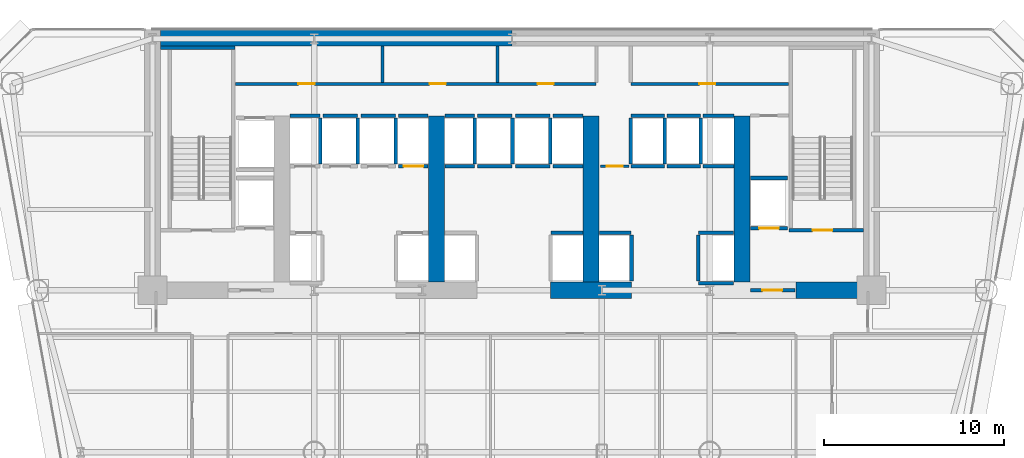
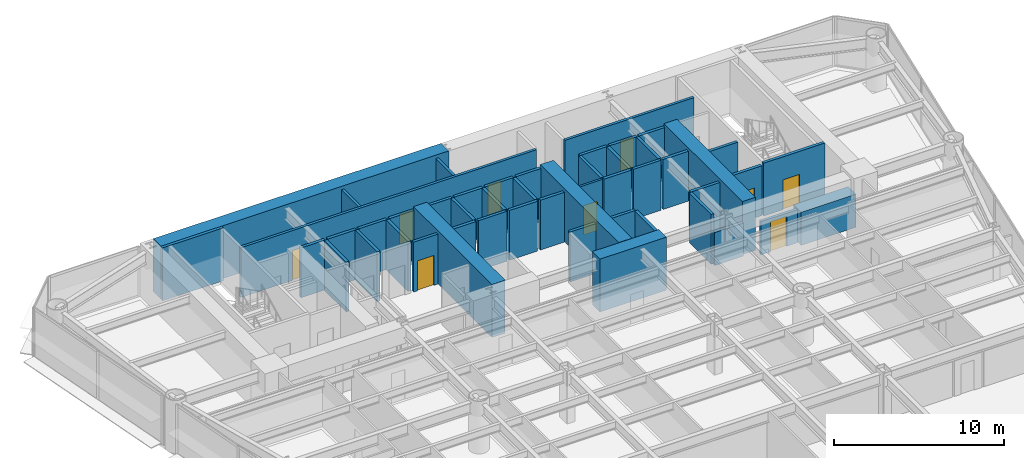
# One storey, part 9 of 14: 50 walls, 9 doors, 9 openings.
"""IFC4 building model written with IfcOpenShell, lengths in metres."""

from ifc_helpers import new_model, si_unit, direction, frame, frame_2d, origin, place, context, subcontext, project, spatial, rectangle, extrude, source, transform, mapped, material, layer, layer_set, type_object, element, fill, save


model = new_model("IFC4")

# Units and contexts
model_context = context("Model", 3, precision=1e-05, world=origin(), true_north=direction((0.0, 1.0)))
body_context = subcontext(model_context, "Body", "Model", "MODEL_VIEW")
ifc_project = project(units=[si_unit("LENGTHUNIT", "METRE"), si_unit("AREAUNIT", "SQUARE_METRE"), si_unit("VOLUMEUNIT", "CUBIC_METRE"), si_unit("PLANEANGLEUNIT", "RADIAN"), si_unit("MASSUNIT", "GRAM", prefix="KILO")], contexts=[model_context])

# Site, building, storey
site_placement = place(None, origin())
site = spatial("IfcSite", under=ifc_project, at=site_placement, CompositionType="ELEMENT")
building_placement = place(site_placement, origin())
building = spatial("IfcBuilding", under=site, at=building_placement, Name="Vaeldorn Concourse Tower", CompositionType="ELEMENT")
storey_placement = place(building_placement, frame((0.0, 0.0, 26.39990234375)))
storey = spatial("IfcBuildingStorey", under=building, at=storey_placement, Name="L06", CompositionType="ELEMENT", Elevation=26.39990234375)

# Walls
ifc_material_1 = material(Name="Concrete C60/75", Category="concrete")
ifc_layer_1 = layer(ifc_material_1, 0.89990234375)
ifc_layer_set_1 = layer_set([ifc_layer_1], Name="Concrete C60/75")
wall_type_1 = type_object("IfcWallType", Name="WL-CORE-900", PredefinedType="SHEAR", material=ifc_layer_set_1)
wall_1_placement = place(storey_placement, frame((14.4541015625, 50.550048828125, 0.0), z_axis=(0.0, 0.0, 1.0), x_axis=(1.0, 0.0, 0.0)))
element("IfcWall", 1, at=wall_1_placement, inside=storey, type_object=wall_type_1, Name="Rear Core Shear Wall L06 N1", PredefinedType="SHEAR", context=body_context, shape_type="SweptSolid", body=[
    extrude(rectangle(XDim=19.5439453125, YDim=0.89990234375, at=frame_2d((9.77197265625, 0.0))), origin(), (0.0, 0.0, 1.0), 3.800048828125),
])
wall_2_placement = place(storey_placement, frame((36.14990234375, 36.5, 0.0), z_axis=(0.0, 0.0, 1.0), x_axis=(1.0, 0.0, 0.0)))
element("IfcWall", 2, at=wall_2_placement, inside=storey, type_object=wall_type_1, Name="Rear Core Shear Wall L06 S3", PredefinedType="SHEAR", context=body_context, shape_type="SweptSolid", body=[
    extrude(rectangle(XDim=4.5, YDim=0.89990234375, at=frame_2d((2.25, 0.0))), origin(), (0.0, 0.0, 1.0), 3.800048828125),
])
wall_3_placement = place(storey_placement, frame((49.800048828125, 36.5, 0.0), z_axis=(0.0, 0.0, 1.0), x_axis=(1.0, 0.0, 0.0)))
element("IfcWall", 3, at=wall_3_placement, inside=storey, type_object=wall_type_1, Name="Rear Core Shear Wall L06 S4", PredefinedType="SHEAR", context=body_context, shape_type="SweptSolid", body=[
    extrude(rectangle(XDim=3.72998046875, YDim=0.89990234375, at=frame_2d((1.864990234375, 0.0))), origin(), (0.0, 0.0, 1.0), 2.380126953125),
])
for number, where, z_axis, x_axis, name in (
    (4, (29.800048828125, 36.969970703125, 0.0), (0.0, 0.0, 1.0), (0.0, 1.0, 0.0), "Rear Core Shear Wall L06 M2"),
    (5, (38.39990234375, 36.969970703125, 0.0), (0.0, 0.0, 1.0), (0.0, 1.0, 0.0), "Rear Core Shear Wall L06 M3"),
    (6, (46.800048828125, 36.969970703125, 0.0), (0.0, 0.0, 1.0), (0.0, 1.0, 0.0), "Rear Core Shear Wall L06 M4"),
):
    element("IfcWall", number, at=place(storey_placement, frame(where, z_axis=z_axis, x_axis=x_axis)), inside=storey, type_object=wall_type_1, Name=name, PredefinedType="SHEAR", context=body_context, shape_type="SweptSolid", body=[
        extrude(rectangle(XDim=9.22998046875, YDim=0.89990234375, at=frame_2d((4.614990234375, 0.0))), origin(), (0.0, 0.0, 1.0), 3.800048828125),
    ])

# Wall, opening, door
ifc_material_2 = material(Name="Gypsum Board Partition", Category="gypsum")
ifc_layer_2 = layer(ifc_material_2, 0.14990234375)
ifc_layer_set_2 = layer_set([ifc_layer_2], Name="Gypsum Board Partition")
wall_type_2 = type_object("IfcWallType", Name="WL-PART-150", PredefinedType="PARTITIONING", material=ifc_layer_set_2)
wall_4_placement = place(storey_placement, frame((38.919921875, 43.39990234375, 0.0), z_axis=(0.0, 0.0, 1.0), x_axis=(1.0, 0.0, 0.0)))
wall_4 = element("IfcWall", 7, at=wall_4_placement, inside=storey, type_object=wall_type_2, Name="Interior Wall CW-L06-CCLINK", PredefinedType="PARTITIONING", context=body_context, shape_type="SweptSolid", body=[
    extrude(rectangle(XDim=1.60009765625, YDim=0.14990234375, at=frame_2d((0.800048828125, 0.0))), origin(), (0.0, 0.0, 1.0), 3.580078125),
])
opening_1_placement = place(wall_4_placement, frame((0.35009765625, 0.0, 0.0)))
opening_1 = element("IfcOpeningElement", 8, at=opening_1_placement, cuts=wall_4, Name="Opening D-02", PredefinedType="OPENING", context=body_context, shape_type="SweptSolid", body=[
    extrude(rectangle(XDim=0.89990234375, YDim=2.10009765625, at=frame_2d((0.449951171875, 1.050048828125))), frame((0.0, 0.0849609375, 0.0), z_axis=(0.0, -1.0, 0.0), x_axis=(1.0, 0.0, 0.0)), (0.0, 0.0, 1.0), 0.169921875),
])
ifc_material_3 = material(Name="Fire-Rated Timber Leaf", Category="wood")
door_type_1 = type_object("IfcDoorType", Name="DR-FD30-900", OperationType="NOTDEFINED", PredefinedType="DOOR", material=ifc_material_3)
shared_shape_1 = source(origin(), body_context, "Body", "SweptSolid", [
    extrude(rectangle(XDim=0.89990234375, YDim=2.10009765625, at=frame_2d((0.449951171875, 1.050048828125))), frame((0.0, 0.02490234375, 0.0), z_axis=(0.0, -1.0, 0.0), x_axis=(1.0, 0.0, 0.0)), (0.0, 0.0, 1.0), 0.050048828125),
])
door_1_placement = place(opening_1_placement, origin())
door_1 = element("IfcDoor", 9, at=door_1_placement, inside=storey, type_object=door_type_1, Name="Interior Door DR-L06-CCLINK", OperationType="SINGLE_SWING_LEFT", OverallHeight=2.10009765625, OverallWidth=0.89990234375, PredefinedType="DOOR", context=body_context, shape_type="MappedRepresentation", body=[
    mapped(shared_shape_1, transform((0.0, 0.0, 0.0), scale=1.0)),
])
fill(opening_1, door_1)

# Wall, openings, doors
ifc_layer_3 = layer(ifc_material_2, 0.179931640625)
ifc_layer_set_3 = layer_set([ifc_layer_3], Name="Gypsum Board Partition")
wall_type_3 = type_object("IfcWallType", Name="WL-PLUMB-180", PredefinedType="PLUMBINGWALL", material=ifc_layer_set_3)
wall_5_placement = place(storey_placement, frame((18.6201171875, 47.97998046875, 0.0), z_axis=(0.0, 0.0, 1.0), x_axis=(1.0, 0.0, 0.0)))
wall_5 = element("IfcWall", 10, at=wall_5_placement, inside=storey, type_object=wall_type_3, Name="Interior Wall CW-L06-NS1W", PredefinedType="PLUMBINGWALL", context=body_context, shape_type="SweptSolid", body=[
    extrude(rectangle(XDim=20.059814453125, YDim=0.179931640625, at=frame_2d((10.02978515625, 0.0))), origin(), (0.0, 0.0, 1.0), 3.580078125),
])
opening_2_placement = place(wall_5_placement, frame((3.5, 0.0, 0.0)))
opening_2 = element("IfcOpeningElement", 11, at=opening_2_placement, cuts=wall_5, Name="Opening D-03", PredefinedType="OPENING", context=body_context, shape_type="SweptSolid", body=[
    extrude(rectangle(XDim=0.89990234375, YDim=2.14990234375, at=frame_2d((0.449951171875, 1.074951171875))), frame((0.0, 0.10009765625, 0.0), z_axis=(0.0, -1.0, 0.0), x_axis=(1.0, 0.0, 0.0)), (0.0, 0.0, 1.0), 0.199951171875),
])
opening_3_placement = place(wall_5_placement, frame((10.800048828125, 0.0, 0.0)))
opening_3 = element("IfcOpeningElement", 12, at=opening_3_placement, cuts=wall_5, Name="Opening D-03", PredefinedType="OPENING", context=body_context, shape_type="SweptSolid", body=[
    extrude(rectangle(XDim=0.89990234375, YDim=2.14990234375, at=frame_2d((0.449951171875, 1.074951171875))), frame((0.0, 0.10009765625, 0.0), z_axis=(0.0, -1.0, 0.0), x_axis=(1.0, 0.0, 0.0)), (0.0, 0.0, 1.0), 0.199951171875),
])
opening_4_placement = place(wall_5_placement, frame((16.800048828125, 0.0, 0.0)))
opening_4 = element("IfcOpeningElement", 13, at=opening_4_placement, cuts=wall_5, Name="Opening D-03", PredefinedType="OPENING", context=body_context, shape_type="SweptSolid", body=[
    extrude(rectangle(XDim=0.89990234375, YDim=2.14990234375, at=frame_2d((0.449951171875, 1.074951171875))), frame((0.0, 0.10009765625, 0.0), z_axis=(0.0, -1.0, 0.0), x_axis=(1.0, 0.0, 0.0)), (0.0, 0.0, 1.0), 0.199951171875),
])
ifc_material_4 = material(Name="Acoustic Bronze-Framed Glass Door", Category="glass")
door_type_2 = type_object("IfcDoorType", Name="DR-INT-900", OperationType="NOTDEFINED", PredefinedType="DOOR", material=ifc_material_4)
shared_shape_2 = source(origin(), body_context, "Body", "SweptSolid", [
    extrude(rectangle(XDim=0.89990234375, YDim=2.14990234375, at=frame_2d((0.449951171875, 1.074951171875))), frame((0.0, 0.02490234375, 0.0), z_axis=(0.0, -1.0, 0.0), x_axis=(1.0, 0.0, 0.0)), (0.0, 0.0, 1.0), 0.050048828125),
])
door_2_placement = place(opening_2_placement, origin())
door_2 = element("IfcDoor", 14, at=door_2_placement, inside=storey, type_object=door_type_2, Name="Interior Door DR-L06-CS1", OperationType="SINGLE_SWING_LEFT", OverallHeight=2.14990234375, OverallWidth=0.89990234375, PredefinedType="DOOR", context=body_context, shape_type="MappedRepresentation", body=[
    mapped(shared_shape_2, transform((0.0, 0.0, 0.0), scale=1.0)),
])
fill(opening_2, door_2)
door_3_placement = place(opening_3_placement, origin())
door_3 = element("IfcDoor", 15, at=door_3_placement, inside=storey, type_object=door_type_2, Name="Interior Door DR-L06-CS2", OperationType="SINGLE_SWING_RIGHT", OverallHeight=2.14990234375, OverallWidth=0.89990234375, PredefinedType="DOOR", context=body_context, shape_type="MappedRepresentation", body=[
    mapped(shared_shape_2, transform((0.0, 0.0, 0.0), scale=1.0)),
])
fill(opening_3, door_3)
door_4_placement = place(opening_4_placement, origin())
door_4 = element("IfcDoor", 16, at=door_4_placement, inside=storey, type_object=door_type_2, Name="Interior Door DR-L06-CS3", OperationType="SINGLE_SWING_LEFT", OverallHeight=2.14990234375, OverallWidth=0.89990234375, PredefinedType="DOOR", context=body_context, shape_type="MappedRepresentation", body=[
    mapped(shared_shape_2, transform((0.0, 0.0, 0.0), scale=1.0)),
])
fill(opening_4, door_4)

# Wall, opening, door
wall_6_placement = place(storey_placement, frame((40.6201171875, 47.97998046875, 0.0), z_axis=(0.0, 0.0, 1.0), x_axis=(1.0, 0.0, 0.0)))
wall_6 = element("IfcWall", 17, at=wall_6_placement, inside=storey, type_object=wall_type_3, Name="Interior Wall CW-L06-NS1E", PredefinedType="PLUMBINGWALL", context=body_context, shape_type="SweptSolid", body=[
    extrude(rectangle(XDim=8.759765625, YDim=0.179931640625, at=frame_2d((4.3798828125, 0.0))), origin(), (0.0, 0.0, 1.0), 3.580078125),
])
opening_5_placement = place(wall_6_placement, frame((3.800048828125, 0.0, 0.0)))
opening_5 = element("IfcOpeningElement", 18, at=opening_5_placement, cuts=wall_6, Name="Opening D-03", PredefinedType="OPENING", context=body_context, shape_type="SweptSolid", body=[
    extrude(rectangle(XDim=0.89990234375, YDim=2.14990234375, at=frame_2d((0.449951171875, 1.074951171875))), frame((0.0, 0.10009765625, 0.0), z_axis=(0.0, -1.0, 0.0), x_axis=(1.0, 0.0, 0.0)), (0.0, 0.0, 1.0), 0.199951171875),
])
door_5_placement = place(opening_5_placement, origin())
door_5 = element("IfcDoor", 19, at=door_5_placement, inside=storey, type_object=door_type_2, Name="Interior Door DR-L06-CS4", OperationType="SINGLE_SWING_RIGHT", OverallHeight=2.14990234375, OverallWidth=0.89990234375, PredefinedType="DOOR", context=body_context, shape_type="MappedRepresentation", body=[
    mapped(shared_shape_2, transform((0.0, 0.0, 0.0), scale=1.0)),
])
fill(opening_5, door_5)

# Walls
for number, where, z_axis, x_axis, name in (
    (20, (26.800048828125, 48.06005859375, 0.0), (0.0, 0.0, 1.0), (0.0, 1.0, 0.0), "Interior Wall CW-L06-NDIV1"),
    (21, (33.199951171875, 48.06005859375, 0.0), (0.0, 0.0, 1.0), (0.0, 1.0, 0.0), "Interior Wall CW-L06-NDIV2"),
):
    element("IfcWall", number, at=place(storey_placement, frame(where, z_axis=z_axis, x_axis=x_axis)), inside=storey, type_object=wall_type_3, Name=name, PredefinedType="PLUMBINGWALL", context=body_context, shape_type="SweptSolid", body=[
        extrude(rectangle(XDim=2.02001953125, YDim=0.179931640625, at=frame_2d((1.010009765625, 0.0))), origin(), (0.0, 0.0, 1.0), 3.580078125),
    ])
ifc_material_5 = material(Name="Concrete C50/60", Category="concrete")
ifc_layer_4 = layer(ifc_material_5, 0.199951171875)
ifc_layer_set_4 = layer_set([ifc_layer_4], Name="Concrete C50/60")
wall_type_4 = type_object("IfcWallType", Name="WL-SHAFT-200", PredefinedType="SOLIDWALL", material=ifc_layer_set_4)
wall_7_placement = place(storey_placement, frame((14.449951171875, 50.0, 0.0), z_axis=(0.0, 0.0, 1.0), x_axis=(1.0, 0.0, 0.0)))
element("IfcWall", 22, at=wall_7_placement, inside=storey, type_object=wall_type_4, Name="Stair Shaft Wall CW-L06-ST-1-N", PredefinedType="SOLIDWALL", context=body_context, shape_type="SweptSolid", body=[
    extrude(rectangle(XDim=4.150146484375, YDim=0.199951171875, at=frame_2d((2.0751953125, 0.0))), origin(), (0.0, 0.0, 1.0), 3.800048828125),
])

# Wall, opening, door
wall_8_placement = place(storey_placement, frame((49.39990234375, 39.85009765625, 0.0), z_axis=(0.0, 0.0, 1.0), x_axis=(1.0, 0.0, 0.0)))
wall_8 = element("IfcWall", 23, at=wall_8_placement, inside=storey, type_object=wall_type_4, Name="Stair Shaft Wall CW-L06-ST-2-S", PredefinedType="SOLIDWALL", context=body_context, shape_type="SweptSolid", body=[
    extrude(rectangle(XDim=4.150146484375, YDim=0.199951171875, at=frame_2d((2.0751953125, 0.0))), origin(), (0.0, 0.0, 1.0), 3.800048828125),
])
opening_6_placement = place(wall_8_placement, frame((1.324951171875, 0.0, 0.0)))
opening_6 = element("IfcOpeningElement", 24, at=opening_6_placement, cuts=wall_8, Name="Opening D-01", PredefinedType="OPENING", context=body_context, shape_type="SweptSolid", body=[
    extrude(rectangle(XDim=1.10009765625, YDim=2.14990234375, at=frame_2d((0.550048828125, 1.074951171875))), frame((0.0, 0.10986328125, 0.0), z_axis=(0.0, -1.0, 0.0), x_axis=(1.0, 0.0, 0.0)), (0.0, 0.0, 1.0), 0.219970703125),
])
ifc_material_6 = material(Name="Fire-Rated Timber and Steel Leaf", Category="steel")
door_type_3 = type_object("IfcDoorType", Name="DR-FD60-1100", OperationType="NOTDEFINED", PredefinedType="DOOR", material=ifc_material_6)
shared_shape_3 = source(origin(), body_context, "Body", "SweptSolid", [
    extrude(rectangle(XDim=1.10009765625, YDim=2.14990234375, at=frame_2d((0.550048828125, 1.074951171875))), frame((0.0, 0.02490234375, 0.0), z_axis=(0.0, -1.0, 0.0), x_axis=(1.0, 0.0, 0.0)), (0.0, 0.0, 1.0), 0.050048828125),
])
door_6_placement = place(opening_6_placement, origin())
door_6 = element("IfcDoor", 25, at=door_6_placement, inside=storey, type_object=door_type_3, Name="Interior Door DR-L06-ST-2", OperationType="SINGLE_SWING_RIGHT", OverallHeight=2.14990234375, OverallWidth=1.10009765625, PredefinedType="DOOR", context=body_context, shape_type="MappedRepresentation", body=[
    mapped(shared_shape_3, transform((0.0, 0.0, 0.0), scale=1.0)),
])
fill(opening_6, door_6)

wall_9_placement = place(storey_placement, frame((47.280029296875, 36.5, 0.0), z_axis=(0.0, 0.0, 1.0), x_axis=(1.0, 0.0, 0.0)))
wall_9 = element("IfcWall", 26, at=wall_9_placement, inside=storey, type_object=wall_type_4, Name="Interior Wall CW-L06-FF2S", PredefinedType="SOLIDWALL", context=body_context, shape_type="SweptSolid", body=[
    extrude(rectangle(XDim=2.469970703125, YDim=0.199951171875, at=frame_2d((1.23486328125, 0.0))), origin(), (0.0, 0.0, 1.0), 2.3701171875),
])
opening_7_placement = place(wall_9_placement, frame((0.64990234375, 0.0, 0.0)))
opening_7 = element("IfcOpeningElement", 27, at=opening_7_placement, cuts=wall_9, Name="Opening D-01", PredefinedType="OPENING", context=body_context, shape_type="SweptSolid", body=[
    extrude(rectangle(XDim=1.10009765625, YDim=2.14990234375, at=frame_2d((0.550048828125, 1.074951171875))), frame((0.0, 0.10986328125, 0.0), z_axis=(0.0, -1.0, 0.0), x_axis=(1.0, 0.0, 0.0)), (0.0, 0.0, 1.0), 0.219970703125),
])
door_7_placement = place(opening_7_placement, origin())
door_7 = element("IfcDoor", 28, at=door_7_placement, inside=storey, type_object=door_type_3, Name="Interior Door DR-L06-FF2W", OperationType="SINGLE_SWING_LEFT", OverallHeight=2.14990234375, OverallWidth=1.10009765625, PredefinedType="DOOR", context=body_context, shape_type="MappedRepresentation", body=[
    mapped(shared_shape_3, transform((0.0, 0.0, 0.0), scale=1.0)),
])
fill(opening_7, door_7)

# Walls
wall_10_placement = place(storey_placement, frame((21.659912109375, 46.199951171875, 0.0), z_axis=(0.0, 0.0, 1.0), x_axis=(1.0, 0.0, 0.0)))
element("IfcWall", 29, at=wall_10_placement, inside=storey, type_object=wall_type_4, Name="Interior Wall CW-L06-LFB-LF-03", PredefinedType="SOLIDWALL", context=body_context, shape_type="SweptSolid", body=[
    extrude(rectangle(XDim=1.650146484375, YDim=0.199951171875, at=frame_2d((0.8251953125, 0.0))), origin(), (0.0, 0.0, 1.0), 3.580078125),
])
wall_11_placement = place(storey_placement, frame((23.330078125, 43.52001953125, 0.0), z_axis=(0.0, 0.0, 1.0), x_axis=(0.0, 1.0, 0.0)))
element("IfcWall", 30, at=wall_11_placement, inside=storey, type_object=wall_type_4, Name="Interior Wall CW-L06-LFE-LF-03", PredefinedType="SOLIDWALL", context=body_context, shape_type="SweptSolid", body=[
    extrude(rectangle(XDim=2.56005859375, YDim=0.199951171875, at=frame_2d((1.280029296875, 0.0))), origin(), (0.0, 0.0, 1.0), 3.580078125),
])
wall_12_placement = place(storey_placement, frame((23.489990234375, 46.199951171875, 0.0), z_axis=(0.0, 0.0, 1.0), x_axis=(1.0, 0.0, 0.0)))
element("IfcWall", 31, at=wall_12_placement, inside=storey, type_object=wall_type_4, Name="Interior Wall CW-L06-LFB-LF-04", PredefinedType="SOLIDWALL", context=body_context, shape_type="SweptSolid", body=[
    extrude(rectangle(XDim=1.919921875, YDim=0.199951171875, at=frame_2d((0.9599609375, 0.0))), origin(), (0.0, 0.0, 1.0), 3.580078125),
])
wall_13_placement = place(storey_placement, frame((25.429931640625, 43.52001953125, 0.0), z_axis=(0.0, 0.0, 1.0), x_axis=(0.0, 1.0, 0.0)))
element("IfcWall", 32, at=wall_13_placement, inside=storey, type_object=wall_type_4, Name="Interior Wall CW-L06-LFE-LF-04", PredefinedType="SOLIDWALL", context=body_context, shape_type="SweptSolid", body=[
    extrude(rectangle(XDim=2.56005859375, YDim=0.199951171875, at=frame_2d((1.280029296875, 0.0))), origin(), (0.0, 0.0, 1.0), 3.580078125),
])
wall_14_placement = place(storey_placement, frame((25.590087890625, 46.199951171875, 0.0), z_axis=(0.0, 0.0, 1.0), x_axis=(1.0, 0.0, 0.0)))
element("IfcWall", 33, at=wall_14_placement, inside=storey, type_object=wall_type_4, Name="Interior Wall CW-L06-LFB-LF-05", PredefinedType="SOLIDWALL", context=body_context, shape_type="SweptSolid", body=[
    extrude(rectangle(XDim=1.919921875, YDim=0.199951171875, at=frame_2d((0.9599609375, 0.0))), origin(), (0.0, 0.0, 1.0), 3.580078125),
])
wall_15_placement = place(storey_placement, frame((27.530029296875, 43.52001953125, 0.0), z_axis=(0.0, 0.0, 1.0), x_axis=(0.0, 1.0, 0.0)))
element("IfcWall", 34, at=wall_15_placement, inside=storey, type_object=wall_type_4, Name="Interior Wall CW-L06-LFE-LF-05", PredefinedType="SOLIDWALL", context=body_context, shape_type="SweptSolid", body=[
    extrude(rectangle(XDim=2.56005859375, YDim=0.199951171875, at=frame_2d((1.280029296875, 0.0))), origin(), (0.0, 0.0, 1.0), 3.580078125),
])

# Wall, opening, door
wall_16_placement = place(storey_placement, frame((27.68994140625, 43.39990234375, 0.0), z_axis=(0.0, 0.0, 1.0), x_axis=(1.0, 0.0, 0.0)))
wall_16 = element("IfcWall", 35, at=wall_16_placement, inside=storey, type_object=wall_type_4, Name="Interior Wall CW-L06-LF-LF-06", PredefinedType="SOLIDWALL", context=body_context, shape_type="SweptSolid", body=[
    extrude(rectangle(XDim=1.650146484375, YDim=0.199951171875, at=frame_2d((0.8251953125, 0.0))), origin(), (0.0, 0.0, 1.0), 3.580078125),
])
opening_8_placement = place(wall_16_placement, frame((0.27490234375, 0.0, 0.0)))
opening_8 = element("IfcOpeningElement", 36, at=opening_8_placement, cuts=wall_16, Name="Opening LD-1", PredefinedType="OPENING", context=body_context, shape_type="SweptSolid", body=[
    extrude(rectangle(XDim=1.10009765625, YDim=2.14990234375, at=frame_2d((0.550048828125, 1.074951171875))), frame((0.0, 0.10986328125, 0.0), z_axis=(0.0, -1.0, 0.0), x_axis=(1.0, 0.0, 0.0)), (0.0, 0.0, 1.0), 0.219970703125),
])
ifc_material_7 = material(Name="Anodised Bronze Aluminium", Category="aluminium")
door_type_4 = type_object("IfcDoorType", Name="DR-LIFT-SLIDE-1100", OperationType="DOUBLE_DOOR_SLIDING", PredefinedType="DOOR", material=ifc_material_7)
door_8_placement = place(opening_8_placement, origin())
door_8 = element("IfcDoor", 37, at=door_8_placement, inside=storey, type_object=door_type_4, Name="Lift Landing Door LD-L06-LF-06", OperationType="DOUBLE_DOOR_SLIDING", OverallHeight=2.14990234375, OverallWidth=1.10009765625, PredefinedType="DOOR", context=body_context, shape_type="MappedRepresentation", body=[
    mapped(shared_shape_3, transform((0.0, 0.0, 0.0), scale=1.0)),
])
fill(opening_8, door_8)

# Walls
wall_17_placement = place(storey_placement, frame((27.68994140625, 46.199951171875, 0.0), z_axis=(0.0, 0.0, 1.0), x_axis=(1.0, 0.0, 0.0)))
element("IfcWall", 38, at=wall_17_placement, inside=storey, type_object=wall_type_4, Name="Interior Wall CW-L06-LFB-LF-06", PredefinedType="SOLIDWALL", context=body_context, shape_type="SweptSolid", body=[
    extrude(rectangle(XDim=1.650146484375, YDim=0.199951171875, at=frame_2d((0.8251953125, 0.0))), origin(), (0.0, 0.0, 1.0), 3.580078125),
])
wall_18_placement = place(storey_placement, frame((36.169921875, 39.699951171875, 0.0), z_axis=(0.0, 0.0, 1.0), x_axis=(1.0, 0.0, 0.0)))
element("IfcWall", 39, at=wall_18_placement, inside=storey, type_object=wall_type_4, Name="Interior Wall CW-L06-LF-LF-08", PredefinedType="SOLIDWALL", context=body_context, shape_type="SweptSolid", body=[
    extrude(rectangle(XDim=1.77001953125, YDim=0.199951171875, at=frame_2d((0.885009765625, 0.0))), origin(), (0.0, 0.0, 1.0), 3.580078125),
])
for number, where, z_axis, x_axis, name in (
    (40, (30.260009765625, 43.39990234375, 0.0), (0.0, 0.0, 1.0), (1.0, 0.0, 0.0), "Interior Wall CW-L06-LF-LF-09"),
    (41, (30.260009765625, 46.199951171875, 0.0), (0.0, 0.0, 1.0), (1.0, 0.0, 0.0), "Interior Wall CW-L06-LFB-LF-09"),
):
    element("IfcWall", number, at=place(storey_placement, frame(where, z_axis=z_axis, x_axis=x_axis)), inside=storey, type_object=wall_type_4, Name=name, PredefinedType="SOLIDWALL", context=body_context, shape_type="SweptSolid", body=[
        extrude(rectangle(XDim=1.64990234375, YDim=0.199951171875, at=frame_2d((0.824951171875, 0.0))), origin(), (0.0, 0.0, 1.0), 3.580078125),
    ])
wall_19_placement = place(storey_placement, frame((31.929931640625, 43.52001953125, 0.0), z_axis=(0.0, 0.0, 1.0), x_axis=(0.0, 1.0, 0.0)))
element("IfcWall", 42, at=wall_19_placement, inside=storey, type_object=wall_type_4, Name="Interior Wall CW-L06-LFE-LF-09", PredefinedType="SOLIDWALL", context=body_context, shape_type="SweptSolid", body=[
    extrude(rectangle(XDim=2.56005859375, YDim=0.199951171875, at=frame_2d((1.280029296875, 0.0))), origin(), (0.0, 0.0, 1.0), 3.580078125),
])
for number, where, z_axis, x_axis, name in (
    (43, (32.090087890625, 43.39990234375, 0.0), (0.0, 0.0, 1.0), (1.0, 0.0, 0.0), "Interior Wall CW-L06-LF-LF-10"),
    (44, (32.090087890625, 46.199951171875, 0.0), (0.0, 0.0, 1.0), (1.0, 0.0, 0.0), "Interior Wall CW-L06-LFB-LF-10"),
):
    element("IfcWall", number, at=place(storey_placement, frame(where, z_axis=z_axis, x_axis=x_axis)), inside=storey, type_object=wall_type_4, Name=name, PredefinedType="SOLIDWALL", context=body_context, shape_type="SweptSolid", body=[
        extrude(rectangle(XDim=1.919921875, YDim=0.199951171875, at=frame_2d((0.9599609375, 0.0))), origin(), (0.0, 0.0, 1.0), 3.580078125),
    ])
wall_20_placement = place(storey_placement, frame((34.030029296875, 43.52001953125, 0.0), z_axis=(0.0, 0.0, 1.0), x_axis=(0.0, 1.0, 0.0)))
element("IfcWall", 45, at=wall_20_placement, inside=storey, type_object=wall_type_4, Name="Interior Wall CW-L06-LFE-LF-10", PredefinedType="SOLIDWALL", context=body_context, shape_type="SweptSolid", body=[
    extrude(rectangle(XDim=2.56005859375, YDim=0.199951171875, at=frame_2d((1.280029296875, 0.0))), origin(), (0.0, 0.0, 1.0), 3.580078125),
])
for number, where, z_axis, x_axis, name in (
    (46, (34.18994140625, 43.39990234375, 0.0), (0.0, 0.0, 1.0), (1.0, 0.0, 0.0), "Interior Wall CW-L06-LF-LF-11"),
    (47, (34.18994140625, 46.199951171875, 0.0), (0.0, 0.0, 1.0), (1.0, 0.0, 0.0), "Interior Wall CW-L06-LFB-LF-11"),
):
    element("IfcWall", number, at=place(storey_placement, frame(where, z_axis=z_axis, x_axis=x_axis)), inside=storey, type_object=wall_type_4, Name=name, PredefinedType="SOLIDWALL", context=body_context, shape_type="SweptSolid", body=[
        extrude(rectangle(XDim=1.920166015625, YDim=0.199951171875, at=frame_2d((0.9599609375, 0.0))), origin(), (0.0, 0.0, 1.0), 3.580078125),
    ])
wall_21_placement = place(storey_placement, frame((36.1298828125, 43.52001953125, 0.0), z_axis=(0.0, 0.0, 1.0), x_axis=(0.0, 1.0, 0.0)))
element("IfcWall", 48, at=wall_21_placement, inside=storey, type_object=wall_type_4, Name="Interior Wall CW-L06-LFE-LF-11", PredefinedType="SOLIDWALL", context=body_context, shape_type="SweptSolid", body=[
    extrude(rectangle(XDim=2.56005859375, YDim=0.199951171875, at=frame_2d((1.280029296875, 0.0))), origin(), (0.0, 0.0, 1.0), 3.580078125),
])
for number, where, z_axis, x_axis, name in (
    (49, (36.2900390625, 43.39990234375, 0.0), (0.0, 0.0, 1.0), (1.0, 0.0, 0.0), "Interior Wall CW-L06-LF-LF-12"),
    (50, (36.2900390625, 46.199951171875, 0.0), (0.0, 0.0, 1.0), (1.0, 0.0, 0.0), "Interior Wall CW-L06-LFB-LF-12"),
):
    element("IfcWall", number, at=place(storey_placement, frame(where, z_axis=z_axis, x_axis=x_axis)), inside=storey, type_object=wall_type_4, Name=name, PredefinedType="SOLIDWALL", context=body_context, shape_type="SweptSolid", body=[
        extrude(rectangle(XDim=1.64990234375, YDim=0.199951171875, at=frame_2d((0.824951171875, 0.0))), origin(), (0.0, 0.0, 1.0), 3.580078125),
    ])
wall_22_placement = place(storey_placement, frame((38.860107421875, 39.699951171875, 0.0), z_axis=(0.0, 0.0, 1.0), x_axis=(1.0, 0.0, 0.0)))
element("IfcWall", 51, at=wall_22_placement, inside=storey, type_object=wall_type_4, Name="Interior Wall CW-L06-LF-LF-13", PredefinedType="SOLIDWALL", context=body_context, shape_type="SweptSolid", body=[
    extrude(rectangle(XDim=1.769775390625, YDim=0.199951171875, at=frame_2d((0.884765625, 0.0))), origin(), (0.0, 0.0, 1.0), 3.580078125),
])
wall_23_placement = place(storey_placement, frame((40.64990234375, 37.02001953125, 0.0), z_axis=(0.0, 0.0, 1.0), x_axis=(0.0, 1.0, 0.0)))
element("IfcWall", 52, at=wall_23_placement, inside=storey, type_object=wall_type_4, Name="Interior Wall CW-L06-LFE-LF-13", PredefinedType="SOLIDWALL", context=body_context, shape_type="SweptSolid", body=[
    extrude(rectangle(XDim=2.56005859375, YDim=0.199951171875, at=frame_2d((1.280029296875, 0.0))), origin(), (0.0, 0.0, 1.0), 3.580078125),
])
wall_24_placement = place(storey_placement, frame((44.3701171875, 39.699951171875, 0.0), z_axis=(0.0, 0.0, 1.0), x_axis=(1.0, 0.0, 0.0)))
element("IfcWall", 53, at=wall_24_placement, inside=storey, type_object=wall_type_4, Name="Interior Wall CW-L06-LF-LF-14", PredefinedType="SOLIDWALL", context=body_context, shape_type="SweptSolid", body=[
    extrude(rectangle(XDim=1.9599609375, YDim=0.199951171875, at=frame_2d((0.97998046875, 0.0))), origin(), (0.0, 0.0, 1.0), 3.580078125),
])
wall_25_placement = place(storey_placement, frame((44.3701171875, 36.89990234375, 0.0), z_axis=(0.0, 0.0, 1.0), x_axis=(1.0, 0.0, 0.0)))
element("IfcWall", 54, at=wall_25_placement, inside=storey, type_object=wall_type_4, Name="Interior Wall CW-L06-LFB-LF-14", PredefinedType="SOLIDWALL", context=body_context, shape_type="SweptSolid", body=[
    extrude(rectangle(XDim=1.9599609375, YDim=0.199951171875, at=frame_2d((0.97998046875, 0.0))), origin(), (0.0, 0.0, 1.0), 2.3701171875),
])
wall_26_placement = place(storey_placement, frame((44.35009765625, 37.02001953125, 0.0), z_axis=(0.0, 0.0, 1.0), x_axis=(0.0, 1.0, 0.0)))
element("IfcWall", 55, at=wall_26_placement, inside=storey, type_object=wall_type_4, Name="Interior Wall CW-L06-LFW-LF-14", PredefinedType="SOLIDWALL", context=body_context, shape_type="SweptSolid", body=[
    extrude(rectangle(XDim=2.56005859375, YDim=0.199951171875, at=frame_2d((1.280029296875, 0.0))), origin(), (0.0, 0.0, 1.0), 3.580078125),
])
for number, where, z_axis, x_axis, name in (
    (56, (40.6201171875, 43.39990234375, 0.0), (0.0, 0.0, 1.0), (1.0, 0.0, 0.0), "Interior Wall CW-L06-LF-LF-15"),
    (57, (40.6201171875, 46.199951171875, 0.0), (0.0, 0.0, 1.0), (1.0, 0.0, 0.0), "Interior Wall CW-L06-LFB-LF-15"),
):
    element("IfcWall", number, at=place(storey_placement, frame(where, z_axis=z_axis, x_axis=x_axis)), inside=storey, type_object=wall_type_4, Name=name, PredefinedType="SOLIDWALL", context=body_context, shape_type="SweptSolid", body=[
        extrude(rectangle(XDim=1.85986328125, YDim=0.199951171875, at=frame_2d((0.929931640625, 0.0))), origin(), (0.0, 0.0, 1.0), 3.580078125),
    ])
for number, where, z_axis, x_axis, name in (
    (58, (40.60009765625, 43.52001953125, 0.0), (0.0, 0.0, 1.0), (0.0, 1.0, 0.0), "Interior Wall CW-L06-LFW-LF-15"),
    (59, (42.5, 43.52001953125, 0.0), (0.0, 0.0, 1.0), (0.0, 1.0, 0.0), "Interior Wall CW-L06-LFE-LF-15"),
):
    element("IfcWall", number, at=place(storey_placement, frame(where, z_axis=z_axis, x_axis=x_axis)), inside=storey, type_object=wall_type_4, Name=name, PredefinedType="SOLIDWALL", context=body_context, shape_type="SweptSolid", body=[
        extrude(rectangle(XDim=2.56005859375, YDim=0.199951171875, at=frame_2d((1.280029296875, 0.0))), origin(), (0.0, 0.0, 1.0), 3.580078125),
    ])
for number, where, z_axis, x_axis, name in (
    (60, (42.6201171875, 43.39990234375, 0.0), (0.0, 0.0, 1.0), (1.0, 0.0, 0.0), "Interior Wall CW-L06-LF-LF-16"),
    (61, (42.6201171875, 46.199951171875, 0.0), (0.0, 0.0, 1.0), (1.0, 0.0, 0.0), "Interior Wall CW-L06-LFB-LF-16"),
):
    element("IfcWall", number, at=place(storey_placement, frame(where, z_axis=z_axis, x_axis=x_axis)), inside=storey, type_object=wall_type_4, Name=name, PredefinedType="SOLIDWALL", context=body_context, shape_type="SweptSolid", body=[
        extrude(rectangle(XDim=1.85986328125, YDim=0.199951171875, at=frame_2d((0.929931640625, 0.0))), origin(), (0.0, 0.0, 1.0), 3.580078125),
    ])
wall_27_placement = place(storey_placement, frame((44.5, 43.52001953125, 0.0), z_axis=(0.0, 0.0, 1.0), x_axis=(0.0, 1.0, 0.0)))
element("IfcWall", 62, at=wall_27_placement, inside=storey, type_object=wall_type_4, Name="Interior Wall CW-L06-LFE-LF-16", PredefinedType="SOLIDWALL", context=body_context, shape_type="SweptSolid", body=[
    extrude(rectangle(XDim=2.56005859375, YDim=0.199951171875, at=frame_2d((1.280029296875, 0.0))), origin(), (0.0, 0.0, 1.0), 3.580078125),
])
for number, where, z_axis, x_axis, name in (
    (63, (44.6201171875, 43.39990234375, 0.0), (0.0, 0.0, 1.0), (1.0, 0.0, 0.0), "Interior Wall CW-L06-LF-LF-17"),
    (64, (44.6201171875, 46.199951171875, 0.0), (0.0, 0.0, 1.0), (1.0, 0.0, 0.0), "Interior Wall CW-L06-LFB-LF-17"),
):
    element("IfcWall", number, at=place(storey_placement, frame(where, z_axis=z_axis, x_axis=x_axis)), inside=storey, type_object=wall_type_4, Name=name, PredefinedType="SOLIDWALL", context=body_context, shape_type="SweptSolid", body=[
        extrude(rectangle(XDim=1.719970703125, YDim=0.199951171875, at=frame_2d((0.85986328125, 0.0))), origin(), (0.0, 0.0, 1.0), 3.580078125),
    ])

# Wall, opening, door
wall_28_placement = place(storey_placement, frame((47.260009765625, 39.949951171875, 0.0), z_axis=(0.0, 0.0, 1.0), x_axis=(1.0, 0.0, 0.0)))
wall_28 = element("IfcWall", 65, at=wall_28_placement, inside=storey, type_object=wall_type_4, Name="Interior Wall CW-L06-LF-LF-FF2", PredefinedType="SOLIDWALL", context=body_context, shape_type="SweptSolid", body=[
    extrude(rectangle(XDim=2.070068359375, YDim=0.199951171875, at=frame_2d((1.03515625, 0.0))), origin(), (0.0, 0.0, 1.0), 3.580078125),
])
opening_9_placement = place(wall_28_placement, frame((0.485107421875, 0.0, 0.0)))
opening_9 = element("IfcOpeningElement", 66, at=opening_9_placement, cuts=wall_28, Name="Opening LD-1", PredefinedType="OPENING", context=body_context, shape_type="SweptSolid", body=[
    extrude(rectangle(XDim=1.10009765625, YDim=2.14990234375, at=frame_2d((0.550048828125, 1.074951171875))), frame((0.0, 0.10986328125, 0.0), z_axis=(0.0, -1.0, 0.0), x_axis=(1.0, 0.0, 0.0)), (0.0, 0.0, 1.0), 0.219970703125),
])
door_9_placement = place(opening_9_placement, origin())
door_9 = element("IfcDoor", 67, at=door_9_placement, inside=storey, type_object=door_type_4, Name="Lift Landing Door LD-L06-LF-FF2", OperationType="DOUBLE_DOOR_SLIDING", OverallHeight=2.14990234375, OverallWidth=1.10009765625, PredefinedType="DOOR", context=body_context, shape_type="MappedRepresentation", body=[
    mapped(shared_shape_3, transform((0.0, 0.0, 0.0), scale=1.0)),
])
fill(opening_9, door_9)

# Wall
wall_29_placement = place(storey_placement, frame((47.260009765625, 42.75, 0.0), z_axis=(0.0, 0.0, 1.0), x_axis=(1.0, 0.0, 0.0)))
element("IfcWall", 68, at=wall_29_placement, inside=storey, type_object=wall_type_4, Name="Interior Wall CW-L06-LFB-LF-FF2", PredefinedType="SOLIDWALL", context=body_context, shape_type="SweptSolid", body=[
    extrude(rectangle(XDim=2.070068359375, YDim=0.199951171875, at=frame_2d((1.03515625, 0.0))), origin(), (0.0, 0.0, 1.0), 3.580078125),
])

save(model, "model.ifc")
